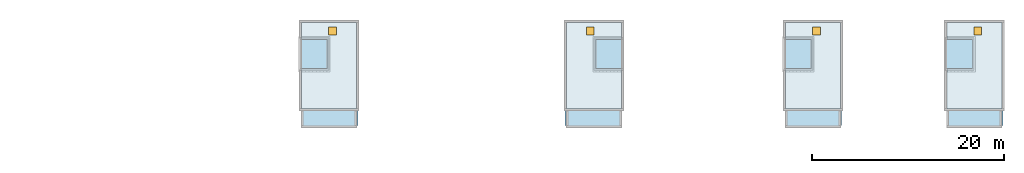
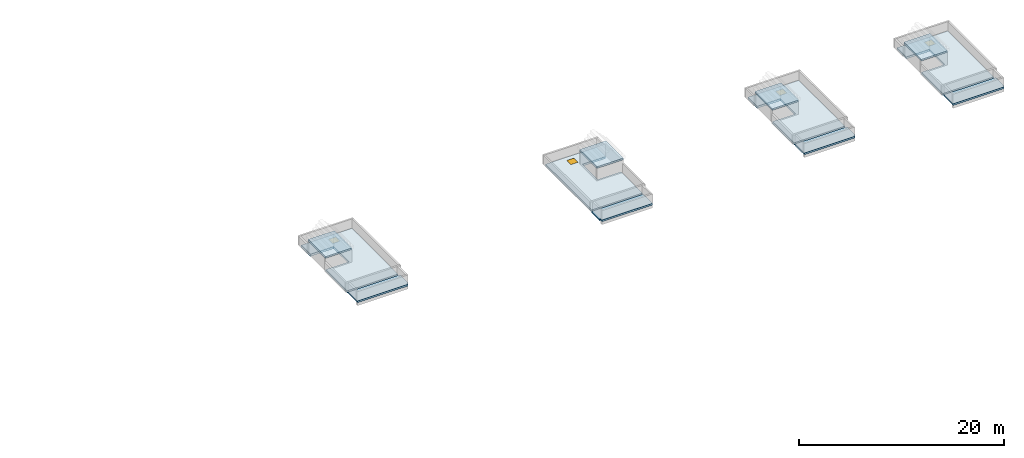
# One storey, part 9 of 15: 12 slabs, 4 doors, 4 openings.
"""IFC4 building model written with IfcOpenShell, lengths in metres."""

import ifcopenshell
import ifcopenshell.guid

model = None  # the IFC model being written
_history = None  # IfcOwnerHistory: only IFC2X3 demands one
_inside = {}  # id of a spatial element -> (the spatial element, [elements in it])
_under = {}  # id of a project, library or spatial element -> (it, [spatial elements below it])
_declared = {}  # id of a project -> (the project, [libraries it declares])
_typed = {}  # id of a type object -> (the type object, [elements of that type])
_made_of = {}  # id of a material, layer set ... -> (it, [elements and type objects made of it])


def new_model(schema):
    """Start an empty IFC model of exactly this schema.

    Asked for "IFC4X3", IfcOpenShell would pick the latest addendum, in which some entities
    have other attributes; the version numbers below select the first issue.
    IFC2X3 requires an IfcOwnerHistory on every rooted entity: one is made here for all.
    """
    global model, _history
    if schema == "IFC4X3":
        model = ifcopenshell.file(schema_version=(4, 3, 0, 0))
    else:
        model = ifcopenshell.file(schema=schema)
    _inside.clear()
    _under.clear()
    _declared.clear()
    _typed.clear()
    _made_of.clear()
    _history = None
    if model.schema == "IFC2X3":
        org = make("IfcOrganization", Name="unknown")
        user = make(
            "IfcPersonAndOrganization",
            ThePerson=make("IfcPerson", FamilyName="unknown"),
            TheOrganization=org,
        )
        app = make(
            "IfcApplication",
            ApplicationDeveloper=org,
            Version="unknown",
            ApplicationFullName="unknown",
            ApplicationIdentifier="unknown",
        )
        _history = make(
            "IfcOwnerHistory",
            OwningUser=user,
            OwningApplication=app,
            ChangeAction="ADDED",
            CreationDate=0,
        )
    return model


def make(cls, **values):
    """One entity of the class cls with the attributes given. An attribute that is None is left unset."""
    return model.create_entity(
        cls, **{name: value for name, value in values.items() if value is not None}
    )


def rooted(cls, **values):
    """An entity with a GlobalId (a new one), such as an element, a storey or a relation."""
    return make(cls, GlobalId=ifcopenshell.guid.new(), OwnerHistory=_history, **values)


def si_unit(unit_type, name, prefix=None):
    """IfcSIUnit, for example si_unit("LENGTHUNIT", "METRE", prefix="MILLI")."""
    return make("IfcSIUnit", UnitType=unit_type, Prefix=prefix, Name=name)


def assignment(units):
    """IfcUnitAssignment: the units of a project."""
    return None if units is None else make("IfcUnitAssignment", Units=units)


def point(xyz):
    """IfcCartesianPoint."""
    return None if xyz is None else make("IfcCartesianPoint", Coordinates=xyz)


def direction(xyz):
    """IfcDirection."""
    return None if xyz is None else make("IfcDirection", DirectionRatios=xyz)


def frame(location, z_axis=None, x_axis=None):
    """IfcAxis2Placement3D, a coordinate frame: its origin and axes. An axis left out is left unset."""
    return make(
        "IfcAxis2Placement3D",
        Location=point(location),
        Axis=direction(z_axis),
        RefDirection=direction(x_axis),
    )


def frame_2d(location, x_axis=None):
    """IfcAxis2Placement2D, a coordinate frame in the plane: its origin and x axis."""
    return make(
        "IfcAxis2Placement2D", Location=point(location), RefDirection=direction(x_axis)
    )


def origin():
    """The frame at (0, 0, 0) with its axes left unset."""
    return frame((0.0, 0.0, 0.0))


def origin_2d():
    """The frame at (0, 0) in the plane with its x axis left unset."""
    return frame_2d((0.0, 0.0))


def place(relative_to, where):
    """IfcLocalPlacement: puts the frame where relative to a parent placement (None: the world)."""
    return make(
        "IfcLocalPlacement", PlacementRelTo=relative_to, RelativePlacement=where
    )


def context(
    kind, dimensions, precision=None, world=None, true_north=None, identifier=None
):
    """IfcGeometricRepresentationContext, for example the 3D "Model" context."""
    return make(
        "IfcGeometricRepresentationContext",
        ContextIdentifier=identifier,
        ContextType=kind,
        CoordinateSpaceDimension=dimensions,
        Precision=precision,
        WorldCoordinateSystem=world,
        TrueNorth=true_north,
    )


def subcontext(parent, identifier, kind, view, scale=None):
    """IfcGeometricRepresentationSubContext, for example "Body" below "Model"."""
    return make(
        "IfcGeometricRepresentationSubContext",
        ContextIdentifier=identifier,
        ContextType=kind,
        ParentContext=parent,
        TargetScale=scale,
        TargetView=view,
    )


def project(units=None, contexts=None):
    """IfcProject with its units and contexts."""
    return rooted(
        "IfcProject",
        Name="project",
        RepresentationContexts=contexts,
        UnitsInContext=assignment(units),
    )


def spatial(cls, under=None, at=None, **own):
    """A site, building, storey or space (cls), placed at a placement, below another one or the project."""
    s = rooted(cls, ObjectPlacement=at, **own)
    if under is not None:
        _under.setdefault(under.id(), (under, []))[1].append(s)
    return s


def polyline(points):
    """IfcPolyline through the points."""
    return make("IfcPolyline", Points=[point(p) for p in points])


def profile(cls, at=None, kind="AREA", **sizes):
    """A parametric profile (cls). Its sizes go by their IFC names, for example OverallWidth=200.0."""
    return make(cls, ProfileType=kind, Position=at, **sizes)


def rectangle(**sizes):
    """IfcRectangleProfileDef."""
    return profile("IfcRectangleProfileDef", **sizes)


def outline(outer, holes=None, kind="AREA"):
    """IfcArbitraryClosedProfileDef: a profile drawn as a closed curve; with holes, ...WithVoids."""
    if holes is None:
        return make("IfcArbitraryClosedProfileDef", ProfileType=kind, OuterCurve=outer)
    return make(
        "IfcArbitraryProfileDefWithVoids",
        ProfileType=kind,
        OuterCurve=outer,
        InnerCurves=holes,
    )


def extrude(swept, where, along, depth):
    """IfcExtrudedAreaSolid: the profile swept, set in the frame where, extruded along a direction by depth."""
    return make(
        "IfcExtrudedAreaSolid",
        SweptArea=swept,
        Position=where,
        ExtrudedDirection=direction(along),
        Depth=depth,
    )


def shape(context_of_items, identifier, shape_type, items):
    """IfcShapeRepresentation: the items that make up one representation, for example the "Body"."""
    return make(
        "IfcShapeRepresentation",
        ContextOfItems=context_of_items,
        RepresentationIdentifier=identifier,
        RepresentationType=shape_type,
        Items=items,
    )


def material(Name=None, Category=None):
    """IfcMaterial."""
    return make("IfcMaterial", Name=Name, Category=Category)


def layer(
    of_material, thickness, ventilated=None, Name=None, Category=None, Priority=None
):
    """IfcMaterialLayer: one layer of a wall or slab, of a material (None: an air gap)."""
    return make(
        "IfcMaterialLayer",
        Material=of_material,
        LayerThickness=thickness,
        IsVentilated=ventilated,
        Name=Name,
        Category=Category,
        Priority=Priority,
    )


def layer_set(layers, Name=None):
    """IfcMaterialLayerSet."""
    return make("IfcMaterialLayerSet", MaterialLayers=layers, LayerSetName=Name)


def made_of(thing, what):
    """Note that an element or type object is made of a material, layer set ...; save() writes the relation."""
    if what is not None:
        _made_of.setdefault(what.id(), (what, []))[1].append(thing)
    return thing


def type_object(cls, material=None, **own):
    """A type object (cls), such as IfcWallType, which elements share."""
    return made_of(rooted(cls, **own), material)


def element(
    cls,
    number,
    at=None,
    inside=None,
    cuts=None,
    type_object=None,
    material=None,
    context=None,
    identifier="Body",
    shape_type=None,
    held_by="IfcProductDefinitionShape",
    body=None,
    shapes=None,
    **own,
):
    """One element of the class cls, such as IfcWall. Its Tag is "e" and its number.

    at: its placement. inside: the storey or other place that contains it. cuts: it is an
    opening in that element (IfcRelVoidsElement). A single representation is given by context,
    identifier, shape_type and body (its items); several are given by shapes. held_by: the class
    of the entity that holds the representations. save() writes the other relations.
    """
    e = rooted(cls, Tag="e%d" % number, ObjectPlacement=at, **own)
    if body is not None:
        shapes = [shape(context, identifier, shape_type, body)]
    if shapes is not None:
        e.Representation = make(held_by, Representations=shapes)
    if inside is not None:
        _inside.setdefault(inside.id(), (inside, []))[1].append(e)
    if cuts is not None:
        rooted(
            "IfcRelVoidsElement", RelatingBuildingElement=cuts, RelatedOpeningElement=e
        )
    if type_object is not None:
        _typed.setdefault(type_object.id(), (type_object, []))[1].append(e)
    return made_of(e, material)


def fill(opening, filler):
    """IfcRelFillsElement: the door or window that sits in an opening."""
    return rooted(
        "IfcRelFillsElement",
        RelatingOpeningElement=opening,
        RelatedBuildingElement=filler,
    )


def aggregate(whole, parts):
    """IfcRelAggregates: a whole, such as a stair, and the parts it consists of."""
    return rooted("IfcRelAggregates", RelatingObject=whole, RelatedObjects=parts)


def save(model, path):
    """Write the relations noted so far, then the file.

    IfcRelAggregates (storeys below a building ...), IfcRelContainedInSpatialStructure (elements
    in a storey), IfcRelDefinesByType, IfcRelAssociatesMaterial and IfcRelDeclares: one each for
    every whole, place, type object, material and project.
    """
    for whole, parts in _under.values():
        aggregate(whole, parts)
    for where, things in _inside.values():
        rooted(
            "IfcRelContainedInSpatialStructure",
            RelatedElements=things,
            RelatingStructure=where,
        )
    for kind, things in _typed.values():
        rooted("IfcRelDefinesByType", RelatedObjects=things, RelatingType=kind)
    for what, things in _made_of.values():
        rooted("IfcRelAssociatesMaterial", RelatedObjects=things, RelatingMaterial=what)
    for by, libraries in _declared.values():
        rooted("IfcRelDeclares", RelatingContext=by, RelatedDefinitions=libraries)
    model.write(path)


model = new_model("IFC4")

# Units and contexts
model_context = context("Model", 3, precision=1e-05, world=origin(), true_north=direction((0.0, 1.0)))
body_context = subcontext(model_context, "Body", "Model", "MODEL_VIEW")
ifc_project = project(units=[si_unit("LENGTHUNIT", "METRE"), si_unit("AREAUNIT", "SQUARE_METRE"), si_unit("VOLUMEUNIT", "CUBIC_METRE"), si_unit("PLANEANGLEUNIT", "RADIAN"), si_unit("MASSUNIT", "GRAM", prefix="KILO")], contexts=[model_context])

# Site, building, storey
site_placement = place(None, origin())
site = spatial("IfcSite", under=ifc_project, at=site_placement, CompositionType="ELEMENT")
building_placement = place(site_placement, origin())
building = spatial("IfcBuilding", under=site, at=building_placement, Name="Ridgestep Commons", CompositionType="ELEMENT")
storey_placement = place(building_placement, frame((0.0, 0.0, 45.0)))
storey = spatial("IfcBuildingStorey", under=building, at=storey_placement, Name="L15", CompositionType="ELEMENT", Elevation=45.0)

# Slabs
ifc_material_1 = material(Name="Precast concrete C40/50", Category="concrete")
ifc_layer_1 = layer(ifc_material_1, 0.199951171875)
ifc_layer_set_1 = layer_set([ifc_layer_1], Name="Gallery roof slab 200")
slab_type_1 = type_object("IfcSlabType", Name="Gallery roof slab 200", PredefinedType="ROOF", material=ifc_layer_set_1)
slab_1_placement = place(storey_placement, frame((0.0, 0.0, -0.199951171875)))
element("IfcSlab", 1, at=slab_1_placement, inside=storey, type_object=slab_type_1, Name="Gallery slab D2 L15", PredefinedType="ROOF", context=body_context, shape_type="SweptSolid", body=[
    extrude(outline(polyline([(163.75, 11.75), (169.47509765625, 11.75), (169.47509765625, 12.0), (169.60009765625, 12.0), (169.60009765625, 13.550048828125), (163.75, 13.550048828125), (163.75, 11.75)])), origin(), (0.0, 0.0, 1.0), 0.199951171875),
])
slab_2_placement = place(storey_placement, frame((0.0, 0.0, -0.199951171875)))
element("IfcSlab", 2, at=slab_2_placement, inside=storey, type_object=slab_type_1, Name="Gallery slab D3 L15", PredefinedType="ROOF", context=body_context, shape_type="SweptSolid", body=[
    extrude(outline(polyline([(191.199951171875, 13.550048828125), (191.199951171875, 12.0), (191.324951171875, 12.0), (191.324951171875, 11.75), (197.050048828125, 11.75), (197.050048828125, 13.550048828125), (191.199951171875, 13.550048828125)])), origin(), (0.0, 0.0, 1.0), 0.199951171875),
])
slab_3_placement = place(storey_placement, frame((0.0, 0.0, -0.199951171875)))
element("IfcSlab", 3, at=slab_3_placement, inside=storey, type_object=slab_type_1, Name="Gallery slab D5 L15", PredefinedType="ROOF", context=body_context, shape_type="SweptSolid", body=[
    extrude(outline(polyline([(214.14990234375, 11.75), (219.875, 11.75), (219.875, 12.0), (220.0, 12.0), (220.0, 13.550048828125), (214.14990234375, 13.550048828125), (214.14990234375, 11.75)])), origin(), (0.0, 0.0, 1.0), 0.199951171875),
])
slab_4_placement = place(storey_placement, frame((0.0, 0.0, -0.199951171875)))
element("IfcSlab", 4, at=slab_4_placement, inside=storey, type_object=slab_type_1, Name="Gallery slab D6 L15", PredefinedType="ROOF", context=body_context, shape_type="SweptSolid", body=[
    extrude(outline(polyline([(230.949951171875, 11.75), (236.675048828125, 11.75), (236.675048828125, 12.0), (236.800048828125, 12.0), (236.800048828125, 13.550048828125), (230.949951171875, 13.550048828125), (230.949951171875, 11.75)])), origin(), (0.0, 0.0, 1.0), 0.199951171875),
])
ifc_material_2 = material(Name="Precast concrete C50/60", Category="concrete")
ifc_layer_2 = layer(ifc_material_2, 0.199951171875)
ifc_layer_set_2 = layer_set([ifc_layer_2], Name="Overrun roof 200")
slab_type_2 = type_object("IfcSlabType", Name="Overrun roof 200", PredefinedType="ROOF", material=ifc_layer_set_2)
slab_5_placement = place(storey_placement, frame((0.0, 0.0, 1.5)))
element("IfcSlab", 5, at=slab_5_placement, inside=storey, type_object=slab_type_2, Name="Lift overrun roof D2C", PredefinedType="ROOF", context=body_context, shape_type="SweptSolid", body=[
    extrude(outline(polyline([(166.574951171875, 17.75), (166.574951171875, 21.14990234375), (163.60009765625, 21.14990234375), (163.60009765625, 17.75), (166.574951171875, 17.75)])), origin(), (0.0, 0.0, 1.0), 0.199951171875),
])
slab_6_placement = place(storey_placement, frame((0.0, 0.0, 1.5)))
element("IfcSlab", 6, at=slab_6_placement, inside=storey, type_object=slab_type_2, Name="Lift overrun roof D3C", PredefinedType="ROOF", context=body_context, shape_type="SweptSolid", body=[
    extrude(outline(polyline([(197.199951171875, 17.75), (197.199951171875, 21.14990234375), (194.22509765625, 21.14990234375), (194.22509765625, 17.75), (197.199951171875, 17.75)])), origin(), (0.0, 0.0, 1.0), 0.199951171875),
])
slab_7_placement = place(storey_placement, frame((0.0, 0.0, 1.5)))
element("IfcSlab", 7, at=slab_7_placement, inside=storey, type_object=slab_type_2, Name="Lift overrun roof D5C", PredefinedType="ROOF", context=body_context, shape_type="SweptSolid", body=[
    extrude(outline(polyline([(216.97509765625, 17.75), (216.97509765625, 21.14990234375), (214.0, 21.14990234375), (214.0, 17.75), (216.97509765625, 17.75)])), origin(), (0.0, 0.0, 1.0), 0.199951171875),
])
slab_8_placement = place(storey_placement, frame((0.0, 0.0, 1.5)))
element("IfcSlab", 8, at=slab_8_placement, inside=storey, type_object=slab_type_2, Name="Lift overrun roof D6C", PredefinedType="ROOF", context=body_context, shape_type="SweptSolid", body=[
    extrude(outline(polyline([(233.77490234375, 17.75), (233.77490234375, 21.14990234375), (230.800048828125, 21.14990234375), (230.800048828125, 17.75), (233.77490234375, 17.75)])), origin(), (0.0, 0.0, 1.0), 0.199951171875),
])

# Slab, opening, door
ifc_material_3 = material(Name="Precast concrete C50/60", Category="concrete")
ifc_layer_3 = layer(ifc_material_3, 0.25)
ifc_layer_set_3 = layer_set([ifc_layer_3], Name="Roof slab 250")
slab_type_3 = type_object("IfcSlabType", Name="Roof slab 250", PredefinedType="ROOF", material=ifc_layer_set_3)
slab_9_placement = place(storey_placement, frame((0.0, 0.0, -0.25)))
slab_9 = element("IfcSlab", 9, at=slab_9_placement, inside=storey, type_object=slab_type_3, Name="Roof slab D2C", PredefinedType="ROOF", context=body_context, shape_type="SweptSolid", body=[
    extrude(outline(polyline([(163.75, 22.75), (163.75, 20.949951171875), (166.375, 20.949951171875), (166.375, 17.949951171875), (163.75, 17.949951171875), (163.75, 13.75), (169.47509765625, 13.75), (169.47509765625, 22.75), (163.75, 22.75)])), origin(), (0.0, 0.0, 1.0), 0.25),
])
opening_1_placement = place(slab_9_placement, frame((166.97509765625, 21.85009765625, 0.0)))
opening_1 = element("IfcOpeningElement", 10, at=opening_1_placement, cuts=slab_9, Name="Opening D2C/RF/1", PredefinedType="OPENING", context=body_context, shape_type="SweptSolid", body=[
    extrude(rectangle(XDim=0.800048828125, YDim=0.800048828125, at=origin_2d()), origin(), (0.0, 0.0, 1.0), 0.25),
])
ifc_material_4 = material(Name="Steel", Category="steel")
door_type = type_object("IfcDoorType", Name="Ladder roof hatch 800 x 800", OperationType="SINGLE_SWING_LEFT", PredefinedType="TRAPDOOR", material=ifc_material_4)
door_1_placement = place(opening_1_placement, frame((0.0, 0.0, 0.199951171875)))
door_1 = element("IfcDoor", 11, at=door_1_placement, inside=storey, type_object=door_type, Name="Roof hatch D2C", OperationType="SINGLE_SWING_LEFT", OverallHeight=0.800048828125, OverallWidth=0.800048828125, PredefinedType="TRAPDOOR", context=body_context, shape_type="SweptSolid", body=[
    extrude(rectangle(XDim=0.800048828125, YDim=0.800048828125, at=origin_2d()), origin(), (0.0, 0.0, 1.0), 0.050048828125),
])
fill(opening_1, door_1)

slab_10_placement = place(storey_placement, frame((0.0, 0.0, -0.25)))
slab_10 = element("IfcSlab", 12, at=slab_10_placement, inside=storey, type_object=slab_type_3, Name="Roof slab D3C", PredefinedType="ROOF", context=body_context, shape_type="SweptSolid", body=[
    extrude(outline(polyline([(197.050048828125, 13.75), (197.050048828125, 17.949951171875), (194.425048828125, 17.949951171875), (194.425048828125, 20.949951171875), (197.050048828125, 20.949951171875), (197.050048828125, 22.75), (191.324951171875, 22.75), (191.324951171875, 13.75), (197.050048828125, 13.75)])), origin(), (0.0, 0.0, 1.0), 0.25),
])
opening_2_placement = place(slab_10_placement, frame((193.824951171875, 21.85009765625, 0.0)))
opening_2 = element("IfcOpeningElement", 13, at=opening_2_placement, cuts=slab_10, Name="Opening D3C/RF/1", PredefinedType="OPENING", context=body_context, shape_type="SweptSolid", body=[
    extrude(rectangle(XDim=0.800048828125, YDim=0.800048828125, at=origin_2d()), origin(), (0.0, 0.0, 1.0), 0.25),
])
door_2_placement = place(opening_2_placement, frame((0.0, 0.0, 0.199951171875)))
door_2 = element("IfcDoor", 14, at=door_2_placement, inside=storey, type_object=door_type, Name="Roof hatch D3C", OperationType="SINGLE_SWING_LEFT", OverallHeight=0.800048828125, OverallWidth=0.800048828125, PredefinedType="TRAPDOOR", context=body_context, shape_type="SweptSolid", body=[
    extrude(rectangle(XDim=0.800048828125, YDim=0.800048828125, at=origin_2d()), origin(), (0.0, 0.0, 1.0), 0.050048828125),
])
fill(opening_2, door_2)

slab_11_placement = place(storey_placement, frame((0.0, 0.0, -0.25)))
slab_11 = element("IfcSlab", 15, at=slab_11_placement, inside=storey, type_object=slab_type_3, Name="Roof slab D5C", PredefinedType="ROOF", context=body_context, shape_type="SweptSolid", body=[
    extrude(outline(polyline([(214.14990234375, 22.75), (214.14990234375, 20.949951171875), (216.77490234375, 20.949951171875), (216.77490234375, 17.949951171875), (214.14990234375, 17.949951171875), (214.14990234375, 13.75), (219.875, 13.75), (219.875, 22.75), (214.14990234375, 22.75)])), origin(), (0.0, 0.0, 1.0), 0.25),
])
opening_3_placement = place(slab_11_placement, frame((217.375, 21.85009765625, 0.0)))
opening_3 = element("IfcOpeningElement", 16, at=opening_3_placement, cuts=slab_11, Name="Opening D5C/RF/1", PredefinedType="OPENING", context=body_context, shape_type="SweptSolid", body=[
    extrude(rectangle(XDim=0.800048828125, YDim=0.800048828125, at=origin_2d()), origin(), (0.0, 0.0, 1.0), 0.25),
])
door_3_placement = place(opening_3_placement, frame((0.0, 0.0, 0.199951171875)))
door_3 = element("IfcDoor", 17, at=door_3_placement, inside=storey, type_object=door_type, Name="Roof hatch D5C", OperationType="SINGLE_SWING_LEFT", OverallHeight=0.800048828125, OverallWidth=0.800048828125, PredefinedType="TRAPDOOR", context=body_context, shape_type="SweptSolid", body=[
    extrude(rectangle(XDim=0.800048828125, YDim=0.800048828125, at=origin_2d()), origin(), (0.0, 0.0, 1.0), 0.050048828125),
])
fill(opening_3, door_3)

slab_12_placement = place(storey_placement, frame((0.0, 0.0, -0.25)))
slab_12 = element("IfcSlab", 18, at=slab_12_placement, inside=storey, type_object=slab_type_3, Name="Roof slab D6C", PredefinedType="ROOF", context=body_context, shape_type="SweptSolid", body=[
    extrude(outline(polyline([(230.949951171875, 22.75), (230.949951171875, 20.949951171875), (233.574951171875, 20.949951171875), (233.574951171875, 17.949951171875), (230.949951171875, 17.949951171875), (230.949951171875, 13.75), (236.675048828125, 13.75), (236.675048828125, 22.75), (230.949951171875, 22.75)])), origin(), (0.0, 0.0, 1.0), 0.25),
])
opening_4_placement = place(slab_12_placement, frame((234.175048828125, 21.85009765625, 0.0)))
opening_4 = element("IfcOpeningElement", 19, at=opening_4_placement, cuts=slab_12, Name="Opening D6C/RF/1", PredefinedType="OPENING", context=body_context, shape_type="SweptSolid", body=[
    extrude(rectangle(XDim=0.800048828125, YDim=0.800048828125, at=origin_2d()), origin(), (0.0, 0.0, 1.0), 0.25),
])
door_4_placement = place(opening_4_placement, frame((0.0, 0.0, 0.199951171875)))
door_4 = element("IfcDoor", 20, at=door_4_placement, inside=storey, type_object=door_type, Name="Roof hatch D6C", OperationType="SINGLE_SWING_LEFT", OverallHeight=0.800048828125, OverallWidth=0.800048828125, PredefinedType="TRAPDOOR", context=body_context, shape_type="SweptSolid", body=[
    extrude(rectangle(XDim=0.800048828125, YDim=0.800048828125, at=origin_2d()), origin(), (0.0, 0.0, 1.0), 0.050048828125),
])
fill(opening_4, door_4)

save(model, "model.ifc")
